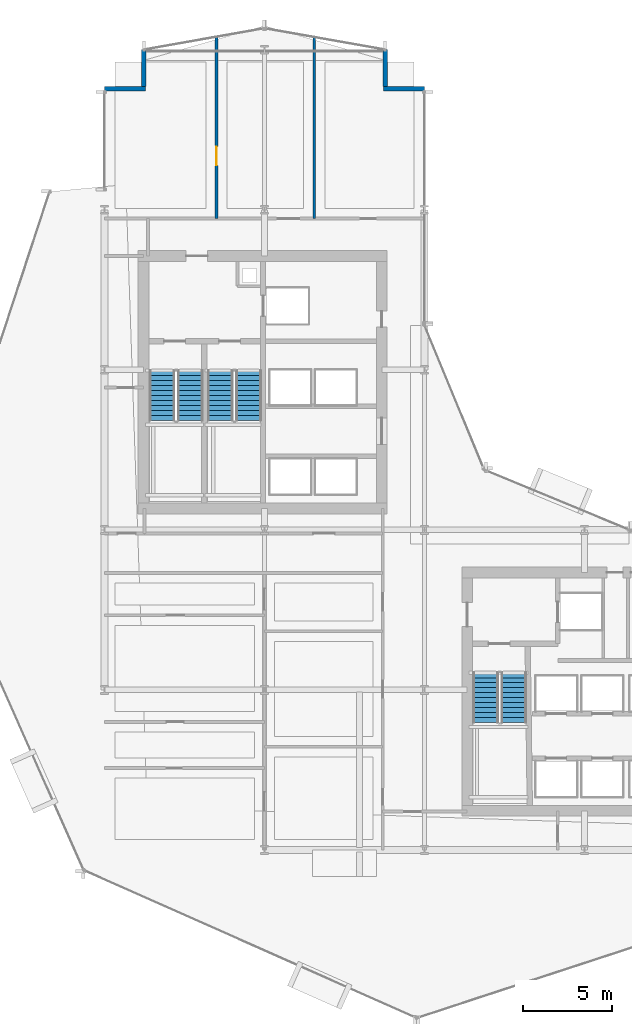
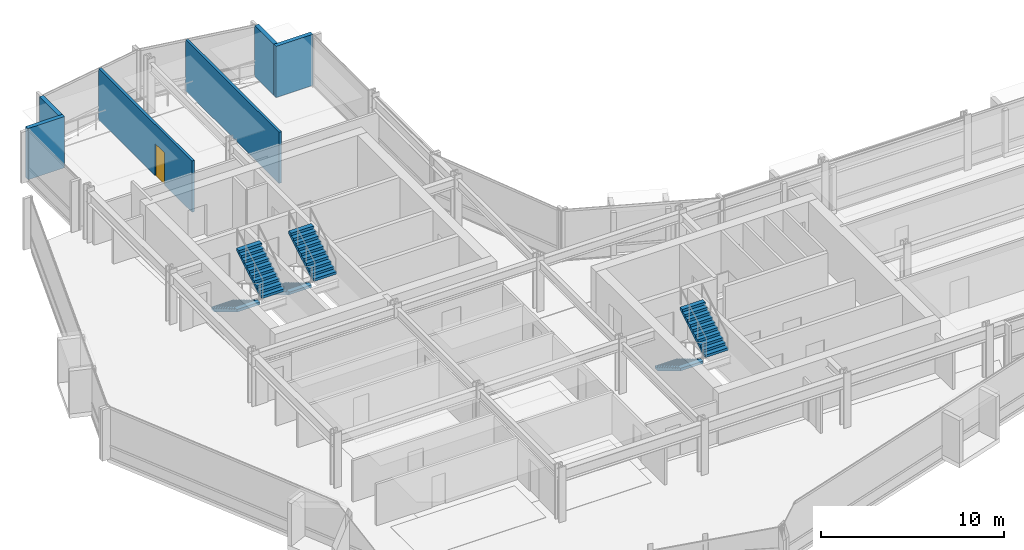
# One storey, part 29 of 34: 6 stair flights, 6 walls, 1 door, 1 opening, 3 elements without a shape of their own.
"""IFC4 building model written with IfcOpenShell, lengths in metres."""

from ifc_helpers import new_model, si_unit, direction, frame, frame_2d, origin, place, context, subcontext, project, spatial, polyline, rectangle, outline, extrude, material, layer, layer_set, type_object, element, fill, aggregate, save


model = new_model("IFC4")

# Units and contexts
model_context = context("Model", 3, precision=1e-05, world=origin(), true_north=direction((0.0, 1.0)))
body_context = subcontext(model_context, "Body", "Model", "MODEL_VIEW")
ifc_project = project(units=[si_unit("LENGTHUNIT", "METRE"), si_unit("AREAUNIT", "SQUARE_METRE"), si_unit("VOLUMEUNIT", "CUBIC_METRE"), si_unit("PLANEANGLEUNIT", "RADIAN"), si_unit("MASSUNIT", "GRAM", prefix="KILO")], contexts=[model_context])

# Site, building, storey
site_placement = place(None, origin())
site = spatial("IfcSite", under=ifc_project, at=site_placement, CompositionType="ELEMENT")
building_placement = place(site_placement, origin())
building = spatial("IfcBuilding", under=site, at=building_placement, Name="Solvaryn Broadcast Tower", CompositionType="ELEMENT")
storey_placement = place(building_placement, frame((0.0, 0.0, 43.39990234375)))
storey = spatial("IfcBuildingStorey", under=building, at=storey_placement, Name="L09", CompositionType="ELEMENT", Elevation=43.39990234375)

# Walls
ifc_material_1 = material(Name="Concrete f'c 50 MPa", Category="concrete")
ifc_layer_1 = layer(ifc_material_1, 0.260009765625)
ifc_layer_set_1 = layer_set([ifc_layer_1], Name="EW-PIER-260")
wall_type_1 = type_object("IfcWallType", Name="EW-PIER-260", PredefinedType="SOLIDWALL", material=ifc_layer_set_1)
wall_1_placement = place(storey_placement, frame((9.0, 51.800048828125, 0.0), z_axis=(0.0, 0.0, 1.0), x_axis=(1.0, 0.0, 0.0)))
element("IfcWall", 1, at=wall_1_placement, inside=storey, type_object=wall_type_1, Name="L09 Notched Corner Pier Wall NNW1", PredefinedType="SOLIDWALL", context=body_context, shape_type="SweptSolid", body=[
    extrude(rectangle(XDim=2.320068359375, YDim=0.260009765625, at=frame_2d((1.16015625, 0.0))), origin(), (0.0, 0.0, 1.0), 3.420166015625),
])
for number, where, z_axis, x_axis, name in (
    (2, (11.199951171875, 51.919921875, 0.0), (0.0, 0.0, 1.0), (0.0, 1.0, 0.0), "L09 Notched Corner Pier Wall NNW2"),
    (3, (24.800048828125, 54.0, 0.0), (0.0, 0.0, 1.0), (0.0, -1.0, 0.0), "L09 Notched Corner Pier Wall NNE1"),
):
    element("IfcWall", number, at=place(storey_placement, frame(where, z_axis=z_axis, x_axis=x_axis)), inside=storey, type_object=wall_type_1, Name=name, PredefinedType="SOLIDWALL", context=body_context, shape_type="SweptSolid", body=[
        extrude(rectangle(XDim=2.080078125, YDim=0.260009765625, at=frame_2d((1.0400390625, 0.0))), origin(), (0.0, 0.0, 1.0), 3.420166015625),
    ])
wall_2_placement = place(storey_placement, frame((24.679931640625, 51.800048828125, 0.0), z_axis=(0.0, 0.0, 1.0), x_axis=(1.0, 0.0, 0.0)))
element("IfcWall", 4, at=wall_2_placement, inside=storey, type_object=wall_type_1, Name="L09 Notched Corner Pier Wall NNE2", PredefinedType="SOLIDWALL", context=body_context, shape_type="SweptSolid", body=[
    extrude(rectangle(XDim=2.320068359375, YDim=0.260009765625, at=frame_2d((1.16015625, 0.0))), origin(), (0.0, 0.0, 1.0), 3.420166015625),
])

# Wall, opening, door
ifc_material_2 = material(Name="Metal-Stud Gypsum Office Partition")
ifc_layer_2 = layer(ifc_material_2, 0.159912109375)
ifc_layer_set_2 = layer_set([ifc_layer_2], Name="IW-PART-160")
wall_type_2 = type_object("IfcWallType", Name="IW-PART-160", PredefinedType="PARTITIONING", material=ifc_layer_set_2)
wall_3_placement = place(storey_placement, frame((15.300048828125, 44.5, 0.0), z_axis=(0.0, 0.0, 1.0), x_axis=(0.0, 1.0, 0.0)))
wall_3 = element("IfcWall", 5, at=wall_3_placement, inside=storey, type_object=wall_type_2, Name="L09 Interior Partition IW-L09-NW-V1", PredefinedType="PARTITIONING", context=body_context, shape_type="SweptSolid", body=[
    extrude(rectangle(XDim=10.22412109375, YDim=0.159912109375, at=frame_2d((5.112060546875, 0.0))), origin(), (0.0, 0.0, 1.0), 3.420166015625),
])
opening_placement = place(wall_3_placement, frame((3.0, 0.0, 0.0)))
opening = element("IfcOpeningElement", 6, at=opening_placement, cuts=wall_3, Name="Opening ID03", PredefinedType="OPENING", context=body_context, shape_type="SweptSolid", body=[
    extrude(rectangle(XDim=1.050048828125, YDim=2.14990234375, at=frame_2d((0.52490234375, 1.074951171875))), frame((0.0, 0.090087890625, 0.0), z_axis=(0.0, -1.0, 0.0), x_axis=(1.0, 0.0, 0.0)), (0.0, 0.0, 1.0), 0.179931640625),
])
ifc_material_3 = material(Name="Flush Acoustic Steel and Timber Door Assembly", Category="steel")
door_type = type_object("IfcDoorType", Name="ID-03-1050X2150", OperationType="NOTDEFINED", PredefinedType="DOOR", material=ifc_material_3)
door_placement = place(opening_placement, origin())
door = element("IfcDoor", 7, at=door_placement, inside=storey, type_object=door_type, Name="L09 Door DR-L09-NW-C1", OperationType="SINGLE_SWING_LEFT", OverallHeight=2.14990234375, OverallWidth=1.050048828125, PredefinedType="DOOR", context=body_context, shape_type="SweptSolid", body=[
    extrude(rectangle(XDim=1.050048828125, YDim=2.14990234375, at=frame_2d((0.52490234375, 1.074951171875))), frame((0.0, 0.02490234375, 0.0), z_axis=(0.0, -1.0, 0.0), x_axis=(1.0, 0.0, 0.0)), (0.0, 0.0, 1.0), 0.050048828125),
])
fill(opening, door)

# Wall
wall_4_placement = place(storey_placement, frame((20.800048828125, 44.5, 0.0), z_axis=(0.0, 0.0, 1.0), x_axis=(0.0, 1.0, 0.0)))
element("IfcWall", 8, at=wall_4_placement, inside=storey, type_object=wall_type_2, Name="L09 Interior Partition IW-L09-NW-V2", PredefinedType="PARTITIONING", context=body_context, shape_type="SweptSolid", body=[
    extrude(rectangle(XDim=10.2060546875, YDim=0.159912109375, at=frame_2d((5.10302734375, 0.0))), origin(), (0.0, 0.0, 1.0), 3.420166015625),
])

# Stair, stair flights
ifc_material_4 = material(Name="Concrete f'c 60 MPa", Category="concrete")
stair_type = type_object("IfcStairType", Name="ST-CORE", PredefinedType="HALF_TURN_STAIR", material=ifc_material_4)
stair_1_placement = place(storey_placement, origin())
stair_1 = element("IfcStair", 9, at=stair_1_placement, inside=storey, type_object=stair_type, Name="L09 ST1", PredefinedType="HALF_TURN_STAIR")
ifc_material_5 = material(Name="Concrete f'c 60 MPa", Category="concrete")
ifc_layer_3 = layer(ifc_material_5, 0.159912109375)
ifc_layer_set_3 = layer_set([ifc_layer_3], Name="SF-CORE")
stair_flight_type = type_object("IfcStairFlightType", Name="SF-CORE", PredefinedType="STRAIGHT", material=ifc_layer_set_3)
stair_flight_1_placement = place(storey_placement, frame((12.239990234375, 35.9599609375, 0.0), z_axis=(0.0, 0.0, 1.0), x_axis=(0.0, -1.0, 0.0)))
stair_flight_1 = element("IfcStairFlight", 10, at=stair_flight_1_placement, type_object=stair_flight_type, Name="ST1 flight 1", NumberOfRisers=11, NumberOfTreads=10, PredefinedType="STRAIGHT", RiserHeight=0.168181818, TreadLength=0.28, context=body_context, shape_type="SweptSolid", body=[
    extrude(outline(polyline([(0.0, 0.0), (0.0, 0.168212890625), (0.280029296875, 0.168212890625), (0.280029296875, 0.33642578125), (0.56005859375, 0.33642578125), (0.56005859375, 0.504638671875), (0.840087890625, 0.504638671875), (0.840087890625, 0.672607421875), (1.1201171875, 0.672607421875), (1.1201171875, 0.8408203125), (1.39990234375, 0.8408203125), (1.39990234375, 1.009033203125), (1.679931640625, 1.009033203125), (1.679931640625, 1.17724609375), (1.9599609375, 1.17724609375), (1.9599609375, 1.345458984375), (2.239990234375, 1.345458984375), (2.239990234375, 1.513671875), (2.52001953125, 1.513671875), (2.52001953125, 1.681884765625), (2.800048828125, 1.681884765625), (2.800048828125, 1.85009765625), (2.800048828125, 1.5068359375), (0.291015625, 0.0), (0.0, 0.0)])), frame((0.0, 0.719970703125, 0.0), z_axis=(0.0, -1.0, 0.0), x_axis=(1.0, 0.0, 0.0)), (0.0, 0.0, 1.0), 1.43994140625),
])
stair_flight_2_placement = place(storey_placement, frame((13.830078125, 33.159912109375, 1.85009765625), z_axis=(0.0, 0.0, 1.0), x_axis=(0.0, 1.0, 0.0)))
stair_flight_2 = element("IfcStairFlight", 11, at=stair_flight_2_placement, type_object=stair_flight_type, Name="ST1 flight 2", NumberOfRisers=11, NumberOfTreads=10, PredefinedType="STRAIGHT", RiserHeight=0.168181818, TreadLength=0.28, context=body_context, shape_type="SweptSolid", body=[
    extrude(outline(polyline([(0.0, 0.0), (0.0, 0.168212890625), (0.280029296875, 0.168212890625), (0.280029296875, 0.33642578125), (0.56005859375, 0.33642578125), (0.56005859375, 0.504638671875), (0.840087890625, 0.504638671875), (0.840087890625, 0.672607421875), (1.1201171875, 0.672607421875), (1.1201171875, 0.8408203125), (1.39990234375, 0.8408203125), (1.39990234375, 1.009033203125), (1.679931640625, 1.009033203125), (1.679931640625, 1.17724609375), (1.9599609375, 1.17724609375), (1.9599609375, 1.345458984375), (2.239990234375, 1.345458984375), (2.239990234375, 1.513671875), (2.52001953125, 1.513671875), (2.52001953125, 1.681884765625), (2.800048828125, 1.681884765625), (2.800048828125, 1.85009765625), (2.800048828125, 1.5068359375), (0.291015625, 0.0), (0.0, 0.0)])), frame((0.0, 0.719970703125, 0.0), z_axis=(0.0, -1.0, 0.0), x_axis=(1.0, 0.0, 0.0)), (0.0, 0.0, 1.0), 1.43994140625),
])
aggregate(stair_1, [stair_flight_1, stair_flight_2])

stair_2_placement = place(storey_placement, origin())
stair_2 = element("IfcStair", 12, at=stair_2_placement, inside=storey, type_object=stair_type, Name="L09 ST2", PredefinedType="HALF_TURN_STAIR")
stair_flight_3_placement = place(storey_placement, frame((15.52001953125, 35.9599609375, 0.0), z_axis=(0.0, 0.0, 1.0), x_axis=(0.0, -1.0, 0.0)))
stair_flight_3 = element("IfcStairFlight", 13, at=stair_flight_3_placement, type_object=stair_flight_type, Name="ST2 flight 1", NumberOfRisers=11, NumberOfTreads=10, PredefinedType="STRAIGHT", RiserHeight=0.168181818, TreadLength=0.28, context=body_context, shape_type="SweptSolid", body=[
    extrude(outline(polyline([(0.0, 0.0), (0.0, 0.168212890625), (0.280029296875, 0.168212890625), (0.280029296875, 0.33642578125), (0.56005859375, 0.33642578125), (0.56005859375, 0.504638671875), (0.840087890625, 0.504638671875), (0.840087890625, 0.672607421875), (1.1201171875, 0.672607421875), (1.1201171875, 0.8408203125), (1.39990234375, 0.8408203125), (1.39990234375, 1.009033203125), (1.679931640625, 1.009033203125), (1.679931640625, 1.17724609375), (1.9599609375, 1.17724609375), (1.9599609375, 1.345458984375), (2.239990234375, 1.345458984375), (2.239990234375, 1.513671875), (2.52001953125, 1.513671875), (2.52001953125, 1.681884765625), (2.800048828125, 1.681884765625), (2.800048828125, 1.85009765625), (2.800048828125, 1.5068359375), (0.291015625, 0.0), (0.0, 0.0)])), frame((0.0, 0.719970703125, 0.0), z_axis=(0.0, -1.0, 0.0), x_axis=(1.0, 0.0, 0.0)), (0.0, 0.0, 1.0), 1.43994140625),
])
stair_flight_4_placement = place(storey_placement, frame((17.110107421875, 33.159912109375, 1.85009765625), z_axis=(0.0, 0.0, 1.0), x_axis=(0.0, 1.0, 0.0)))
stair_flight_4 = element("IfcStairFlight", 14, at=stair_flight_4_placement, type_object=stair_flight_type, Name="ST2 flight 2", NumberOfRisers=11, NumberOfTreads=10, PredefinedType="STRAIGHT", RiserHeight=0.168181818, TreadLength=0.28, context=body_context, shape_type="SweptSolid", body=[
    extrude(outline(polyline([(0.0, 0.0), (0.0, 0.168212890625), (0.280029296875, 0.168212890625), (0.280029296875, 0.33642578125), (0.56005859375, 0.33642578125), (0.56005859375, 0.504638671875), (0.840087890625, 0.504638671875), (0.840087890625, 0.672607421875), (1.1201171875, 0.672607421875), (1.1201171875, 0.8408203125), (1.39990234375, 0.8408203125), (1.39990234375, 1.009033203125), (1.679931640625, 1.009033203125), (1.679931640625, 1.17724609375), (1.9599609375, 1.17724609375), (1.9599609375, 1.345458984375), (2.239990234375, 1.345458984375), (2.239990234375, 1.513671875), (2.52001953125, 1.513671875), (2.52001953125, 1.681884765625), (2.800048828125, 1.681884765625), (2.800048828125, 1.85009765625), (2.800048828125, 1.5068359375), (0.291015625, 0.0), (0.0, 0.0)])), frame((0.0, 0.719970703125, 0.0), z_axis=(0.0, -1.0, 0.0), x_axis=(1.0, 0.0, 0.0)), (0.0, 0.0, 1.0), 1.43994140625),
])
aggregate(stair_2, [stair_flight_3, stair_flight_4])

stair_3_placement = place(storey_placement, origin())
stair_3 = element("IfcStair", 15, at=stair_3_placement, inside=storey, type_object=stair_type, Name="L09 ST3", PredefinedType="HALF_TURN_STAIR")
stair_flight_5_placement = place(storey_placement, frame((30.43994140625, 18.9599609375, 0.0), z_axis=(0.0, 0.0, 1.0), x_axis=(0.0, -1.0, 0.0)))
stair_flight_5 = element("IfcStairFlight", 16, at=stair_flight_5_placement, type_object=stair_flight_type, Name="ST3 flight 1", NumberOfRisers=11, NumberOfTreads=10, PredefinedType="STRAIGHT", RiserHeight=0.168181818, TreadLength=0.28, context=body_context, shape_type="SweptSolid", body=[
    extrude(outline(polyline([(0.0, 0.0), (0.0, 0.168212890625), (0.280029296875, 0.168212890625), (0.280029296875, 0.33642578125), (0.56005859375, 0.33642578125), (0.56005859375, 0.504638671875), (0.840087890625, 0.504638671875), (0.840087890625, 0.672607421875), (1.1201171875, 0.672607421875), (1.1201171875, 0.8408203125), (1.39990234375, 0.8408203125), (1.39990234375, 1.009033203125), (1.679931640625, 1.009033203125), (1.679931640625, 1.17724609375), (1.9599609375, 1.17724609375), (1.9599609375, 1.345458984375), (2.239990234375, 1.345458984375), (2.239990234375, 1.513671875), (2.52001953125, 1.513671875), (2.52001953125, 1.681884765625), (2.800048828125, 1.681884765625), (2.800048828125, 1.85009765625), (2.800048828125, 1.5068359375), (0.291015625, 0.0), (0.0, 0.0)])), frame((0.0, 0.719970703125, 0.0), z_axis=(0.0, -1.0, 0.0), x_axis=(1.0, 0.0, 0.0)), (0.0, 0.0, 1.0), 1.43994140625),
])
stair_flight_6_placement = place(storey_placement, frame((32.030029296875, 16.159912109375, 1.85009765625), z_axis=(0.0, 0.0, 1.0), x_axis=(0.0, 1.0, 0.0)))
stair_flight_6 = element("IfcStairFlight", 17, at=stair_flight_6_placement, type_object=stair_flight_type, Name="ST3 flight 2", NumberOfRisers=11, NumberOfTreads=10, PredefinedType="STRAIGHT", RiserHeight=0.168181818, TreadLength=0.28, context=body_context, shape_type="SweptSolid", body=[
    extrude(outline(polyline([(0.0, 0.0), (0.0, 0.168212890625), (0.280029296875, 0.168212890625), (0.280029296875, 0.33642578125), (0.56005859375, 0.33642578125), (0.56005859375, 0.504638671875), (0.840087890625, 0.504638671875), (0.840087890625, 0.672607421875), (1.1201171875, 0.672607421875), (1.1201171875, 0.8408203125), (1.39990234375, 0.8408203125), (1.39990234375, 1.009033203125), (1.679931640625, 1.009033203125), (1.679931640625, 1.17724609375), (1.9599609375, 1.17724609375), (1.9599609375, 1.345458984375), (2.239990234375, 1.345458984375), (2.239990234375, 1.513671875), (2.52001953125, 1.513671875), (2.52001953125, 1.681884765625), (2.800048828125, 1.681884765625), (2.800048828125, 1.85009765625), (2.800048828125, 1.5068359375), (0.291015625, 0.0), (0.0, 0.0)])), frame((0.0, 0.719970703125, 0.0), z_axis=(0.0, -1.0, 0.0), x_axis=(1.0, 0.0, 0.0)), (0.0, 0.0, 1.0), 1.43994140625),
])
aggregate(stair_3, [stair_flight_5, stair_flight_6])

save(model, "model.ifc")
